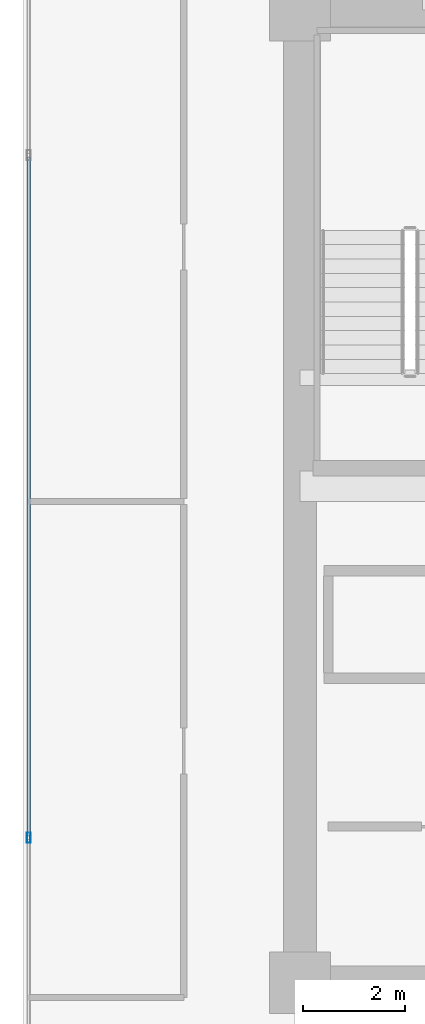
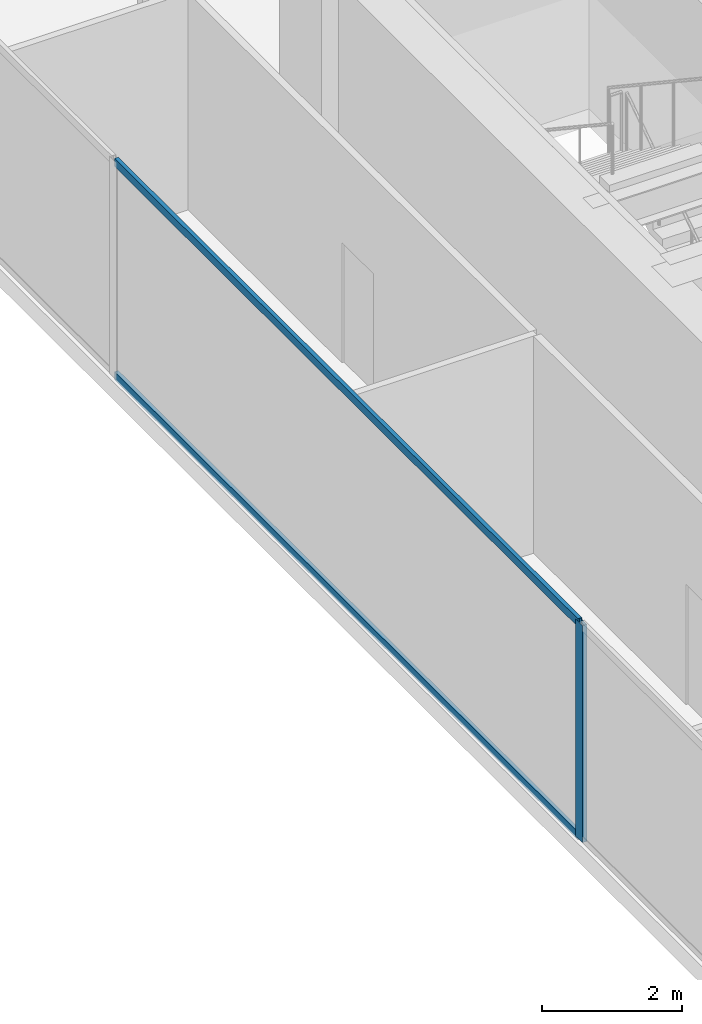
# One storey, part 6 of 30: 3 members, 1 element without a shape of its own.
"""IFC4 building model written with IfcOpenShell, lengths in metres."""

from ifc_helpers import new_model, si_unit, direction, frame, origin, origin_2d, place, context, subcontext, project, spatial, hollow_rectangle, extrude, source, transform, mapped, material, layer, layer_set, material_profile, profile_set, type_object, type_shapes, element, aggregate, save


model = new_model("IFC4")

# Units and contexts
model_context = context("Model", 3, precision=1e-05, world=origin(), true_north=direction((0.0, 1.0)))
body_context = subcontext(model_context, "Body", "Model", "MODEL_VIEW")
ifc_project = project(units=[si_unit("LENGTHUNIT", "METRE"), si_unit("AREAUNIT", "SQUARE_METRE"), si_unit("VOLUMEUNIT", "CUBIC_METRE"), si_unit("PLANEANGLEUNIT", "RADIAN"), si_unit("MASSUNIT", "GRAM", prefix="KILO")], contexts=[model_context])

# Site, building, storey
site_placement = place(None, origin())
site = spatial("IfcSite", under=ifc_project, at=site_placement, CompositionType="ELEMENT")
building_placement = place(site_placement, origin())
building = spatial("IfcBuilding", under=site, at=building_placement, Name="Haelvirn Gate Laboratories", CompositionType="ELEMENT")
storey_placement = place(building_placement, frame((0.0, 0.0, 170.699951171875)))
storey = spatial("IfcBuildingStorey", under=building, at=storey_placement, Name="L41", CompositionType="ELEMENT", Elevation=170.699951171875)

# Curtain wall, members
ifc_material_1 = material(Name="Anodised bronze unitised aluminium & triple low-E glass", Category="aluminium")
ifc_layer = layer(ifc_material_1, 0.179931640625, Name="CW-SYS-3")
ifc_layer_set = layer_set([ifc_layer], Name="Anodised bronze unitised aluminium & triple low-E glass")
curtain_wall_type = type_object("IfcCurtainWallType", Name="CW-SYS-3", PredefinedType="NOTDEFINED", material=ifc_layer_set)
curtain_wall_placement = place(storey_placement, origin())
curtain_wall = element("IfcCurtainWall", 1, at=curtain_wall_placement, inside=storey, type_object=curtain_wall_type, Name="L41 Unitised Curtain Wall CW-L41-P0-E17", PredefinedType="NOTDEFINED")
ifc_material_2 = material(Name="Extruded aluminium 6063-T6 (anodised bronze)", Category="aluminium")
ifc_material_profile_1 = material_profile(ifc_material_2, hollow_rectangle(XDim=0.06494140625, YDim=0.139892578125, WallThickness=0.00390625, at=origin_2d()), Name="CWT-140x65x4")
ifc_profile_set_1 = profile_set([ifc_material_profile_1], Name="Extruded aluminium 6063-T6 (anodised bronze)")
member_type_1 = type_object("IfcMemberType", Name="CWT-T140", PredefinedType="USERDEFINED", material=ifc_profile_set_1)
shared_shape_1 = source(origin(), body_context, "Body", "SweptSolid", [
    extrude(hollow_rectangle(XDim=0.06494140625, YDim=0.139892578125, WallThickness=0.00390625, at=origin_2d()), origin(), (0.0, 0.0, 1.0), 13.25830078125),
])
type_shapes(member_type_1, [shared_shape_1])
member_1_placement = place(storey_placement, frame((2.10009765625, 30.92919921875, 0.032470703125), z_axis=(0.0, -1.0, 0.0), x_axis=(1.0, 0.0, 0.0)))
member_1 = element("IfcMember", 2, at=member_1_placement, type_object=member_type_1, Name="CW3 transom 2.1", ObjectType="TRANSOM", PredefinedType="USERDEFINED", context=body_context, shape_type="MappedRepresentation", body=[
    mapped(shared_shape_1, transform((0.0, 0.0, 0.0), scale=1.0)),
])
member_2_placement = place(storey_placement, frame((2.10009765625, 30.92919921875, 3.757568359375), z_axis=(0.0, -1.0, 0.0), x_axis=(1.0, 0.0, 0.0)))
member_2 = element("IfcMember", 3, at=member_2_placement, type_object=member_type_1, Name="CW3 transom 2.2", ObjectType="TRANSOM", PredefinedType="USERDEFINED", context=body_context, shape_type="MappedRepresentation", body=[
    mapped(shared_shape_1, transform((0.0, 0.0, 0.0), scale=1.0)),
])
ifc_material_profile_2 = material_profile(ifc_material_2, hollow_rectangle(XDim=0.074951171875, YDim=0.199951171875, WallThickness=0.0048828125, at=origin_2d()), Name="CWM-200x75x5")
ifc_profile_set_2 = profile_set([ifc_material_profile_2], Name="Extruded aluminium 6063-T6 (anodised bronze)")
member_type_2 = type_object("IfcMemberType", Name="CWM-T200", PredefinedType="MULLION", material=ifc_profile_set_2)
shared_shape_2 = source(origin(), body_context, "Body", "SweptSolid", [
    extrude(hollow_rectangle(XDim=0.074951171875, YDim=0.199951171875, WallThickness=0.0048828125, at=origin_2d()), origin(), (0.0, 0.0, 1.0), 3.7900390625),
])
type_shapes(member_type_2, [shared_shape_2])
member_3_placement = place(storey_placement, frame((2.10009765625, 17.63330078125, 0.0), z_axis=(0.0, 0.0, 1.0), x_axis=(1.0, 0.0, 0.0)))
member_3 = element("IfcMember", 4, at=member_3_placement, type_object=member_type_2, Name="CW3 mullion 3", PredefinedType="MULLION", context=body_context, shape_type="MappedRepresentation", body=[
    mapped(shared_shape_2, transform((0.0, 0.0, 0.0), scale=1.0)),
])
aggregate(curtain_wall, [member_3, member_1, member_2])

save(model, "model.ifc")
